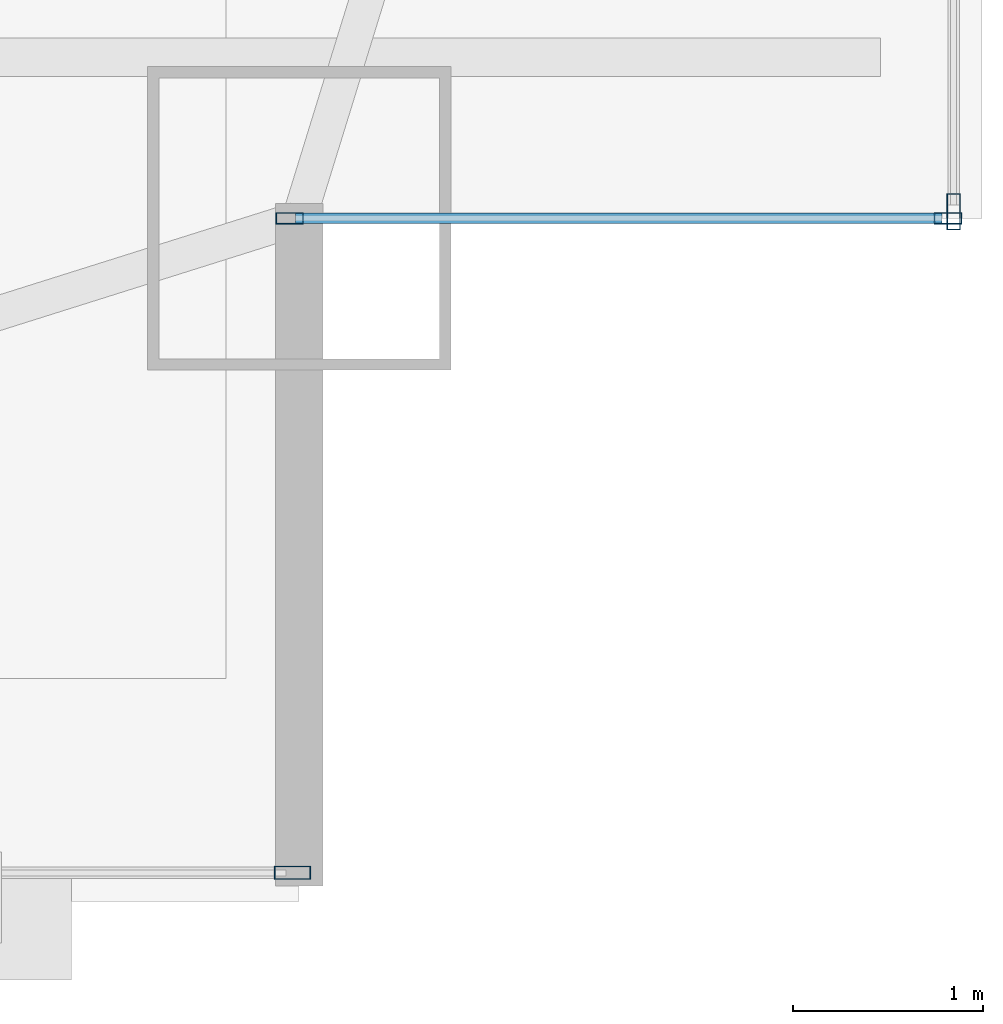
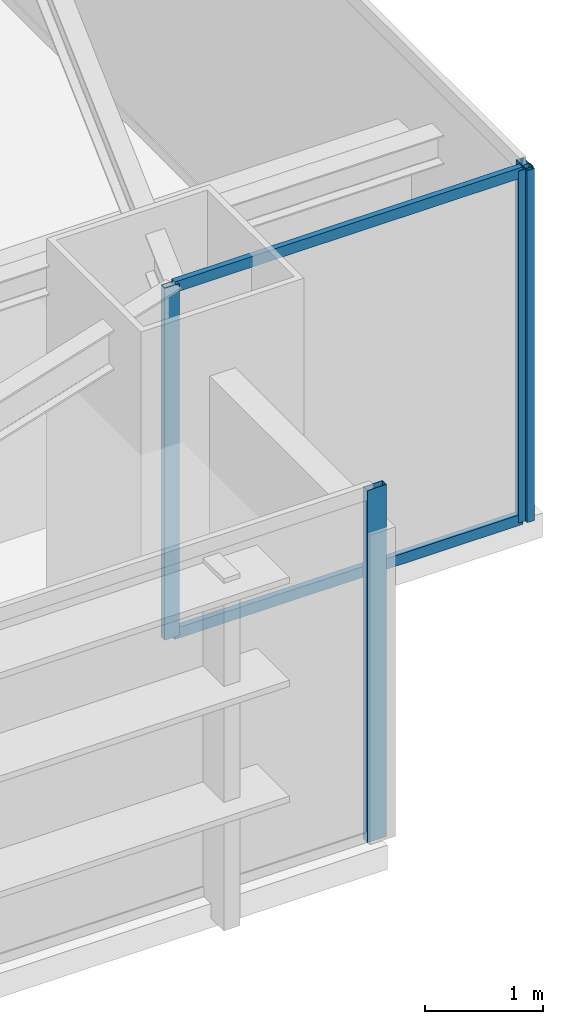
# One storey, part 16 of 35: 6 members, 3 elements without a shape of their own.
"""IFC4 building model written with IfcOpenShell, lengths in metres."""

from ifc_helpers import new_model, si_unit, direction, frame, origin, origin_2d, place, context, subcontext, project, spatial, hollow_rectangle, extrude, source, transform, mapped, material, layer, layer_set, material_profile, profile_set, type_object, type_shapes, element, aggregate, save


model = new_model("IFC4")

# Units and contexts
model_context = context("Model", 3, precision=1e-05, world=origin(), true_north=direction((0.0, 1.0)))
body_context = subcontext(model_context, "Body", "Model", "MODEL_VIEW")
ifc_project = project(units=[si_unit("LENGTHUNIT", "METRE"), si_unit("AREAUNIT", "SQUARE_METRE"), si_unit("VOLUMEUNIT", "CUBIC_METRE"), si_unit("PLANEANGLEUNIT", "RADIAN"), si_unit("MASSUNIT", "GRAM", prefix="KILO")], contexts=[model_context])

# Site, building, storey
site_placement = place(None, origin())
site = spatial("IfcSite", under=ifc_project, at=site_placement, CompositionType="ELEMENT")
building_placement = place(site_placement, origin())
building = spatial("IfcBuilding", under=site, at=building_placement, Name="Varnel Quay Broadcast Tower", CompositionType="ELEMENT")
storey_placement = place(building_placement, frame((0.0, 0.0, 31.5)))
storey = spatial("IfcBuildingStorey", under=building, at=storey_placement, Name="L06", CompositionType="ELEMENT", Elevation=31.5)

# Curtain wall, member
ifc_material = material(Name="Anodised Bronze Aluminium 6063-T6", Category="aluminium")
ifc_layer_1 = layer(ifc_material, 0.18994140625, Name="Anodised Bronze Aluminium 6063-T6")
ifc_layer_set_1 = layer_set([ifc_layer_1], Name="Anodised Bronze Aluminium 6063-T6")
curtain_wall_type_1 = type_object("IfcCurtainWallType", Name="CW_LowerTower", PredefinedType="NOTDEFINED", material=ifc_layer_set_1)
curtain_wall_1_placement = place(storey_placement, origin())
curtain_wall_1 = element("IfcCurtainWall", 1, at=curtain_wall_1_placement, inside=storey, type_object=curtain_wall_type_1, Name="L06 South Unitised Curtain Wall 1", PredefinedType="NOTDEFINED")
ifc_material_profile_1 = material_profile(ifc_material, hollow_rectangle(XDim=0.070068359375, YDim=0.18994140625, WallThickness=0.00390625, at=origin_2d()), Name="ALU70X190X4")
ifc_profile_set_1 = profile_set([ifc_material_profile_1], Name="Anodised Bronze Aluminium 6063-T6")
member_type_1 = type_object("IfcMemberType", Name="Mull_CWS-02", PredefinedType="MULLION", material=ifc_profile_set_1)
shared_shape_1 = source(origin(), body_context, "Body", "SweptSolid", [
    extrude(hollow_rectangle(XDim=0.070068359375, YDim=0.18994140625, WallThickness=0.00390625, at=origin_2d()), origin(), (0.0, 0.0, 1.0), 3.64990234375),
])
type_shapes(member_type_1, [shared_shape_1])
member_1_placement = place(storey_placement, frame((62.364990234375, 1.35009765625, 0.0), z_axis=(0.0, 0.0, 1.0), x_axis=(0.0, 1.0, 0.0)))
member_1 = element("IfcMember", 2, at=member_1_placement, type_object=member_type_1, Name="CWS-02 mullion 6", PredefinedType="MULLION", context=body_context, shape_type="MappedRepresentation", body=[
    mapped(shared_shape_1, transform((0.0, 0.0, 0.0), x_axis=(1.0, 0.0, 0.0), y_axis=(0.0, 1.0, 0.0), z_axis=(0.0, 0.0, 1.0), scale=1.0)),
])
aggregate(curtain_wall_1, [member_1])

curtain_wall_2_placement = place(storey_placement, origin())
curtain_wall_2 = element("IfcCurtainWall", 3, at=curtain_wall_2_placement, inside=storey, type_object=curtain_wall_type_1, Name="L06 East Unitised Curtain Wall", PredefinedType="NOTDEFINED")
member_2_placement = place(storey_placement, frame((65.85009765625, 4.8349609375, 0.0), z_axis=(0.0, 0.0, 1.0), x_axis=(-1.0, 0.0, 0.0)))
member_2 = element("IfcMember", 4, at=member_2_placement, type_object=member_type_1, Name="CWS-02 mullion 1", PredefinedType="MULLION", context=body_context, shape_type="MappedRepresentation", body=[
    mapped(shared_shape_1, transform((0.0, 0.0, 0.0), x_axis=(1.0, 0.0, 0.0), y_axis=(0.0, 1.0, 0.0), z_axis=(0.0, 0.0, 1.0), scale=1.0)),
])
aggregate(curtain_wall_2, [member_2])

# Curtain wall, members
ifc_layer_2 = layer(ifc_material, 0.18994140625, Name="Anodised Bronze Aluminium 6063-T6")
ifc_layer_set_2 = layer_set([ifc_layer_2], Name="Anodised Bronze Aluminium 6063-T6")
curtain_wall_type_2 = type_object("IfcCurtainWallType", Name="CW_NotchCorner", PredefinedType="NOTDEFINED", material=ifc_layer_set_2)
curtain_wall_3_placement = place(storey_placement, origin())
curtain_wall_3 = element("IfcCurtainWall", 5, at=curtain_wall_3_placement, inside=storey, type_object=curtain_wall_type_2, Name="L06 SE Notch Curtain Wall", PredefinedType="NOTDEFINED")
ifc_material_profile_2 = material_profile(ifc_material, hollow_rectangle(XDim=0.06005859375, YDim=0.14501953125, WallThickness=0.00341796875, at=origin_2d()), Name="ALU60X145X3.5")
ifc_profile_set_2 = profile_set([ifc_material_profile_2], Name="Anodised Bronze Aluminium 6063-T6")
member_type_2 = type_object("IfcMemberType", Name="Mull_CWS-04", PredefinedType="MULLION", material=ifc_profile_set_2)
shared_shape_2 = source(origin(), body_context, "Body", "SweptSolid", [
    extrude(hollow_rectangle(XDim=0.06005859375, YDim=0.14501953125, WallThickness=0.00341796875, at=origin_2d()), origin(), (0.0, 0.0, 1.0), 3.64990234375),
])
type_shapes(member_type_2, [shared_shape_2])
member_3_placement = place(storey_placement, frame((62.35009765625, 4.800048828125, 0.0), z_axis=(0.0, 0.0, 1.0), x_axis=(0.0, 1.0, 0.0)))
member_3 = element("IfcMember", 6, at=member_3_placement, type_object=member_type_2, Name="CWS-04 mullion 1", PredefinedType="MULLION", context=body_context, shape_type="MappedRepresentation", body=[
    mapped(shared_shape_2, transform((0.0, 0.0, 0.0), x_axis=(1.0, 0.0, 0.0), y_axis=(0.0, 1.0, 0.0), z_axis=(0.0, 0.0, 1.0), scale=1.0)),
])
member_4_placement = place(storey_placement, frame((65.820068359375, 4.800048828125, 0.0), z_axis=(0.0, 0.0, 1.0), x_axis=(0.0, 1.0, 0.0)))
member_4 = element("IfcMember", 7, at=member_4_placement, type_object=member_type_2, Name="CWS-04 mullion 2", PredefinedType="MULLION", context=body_context, shape_type="MappedRepresentation", body=[
    mapped(shared_shape_2, transform((0.0, 0.0, 0.0), x_axis=(1.0, 0.0, 0.0), y_axis=(0.0, 1.0, 0.0), z_axis=(0.0, 0.0, 1.0), scale=1.0)),
])
ifc_material_profile_3 = material_profile(ifc_material, hollow_rectangle(XDim=0.054931640625, YDim=0.110107421875, WallThickness=0.0029296875, at=origin_2d()), Name="ALU55X110X3")
ifc_profile_set_3 = profile_set([ifc_material_profile_3], Name="Anodised Bronze Aluminium 6063-T6")
member_type_3 = type_object("IfcMemberType", Name="Tran_CWS-04", PredefinedType="USERDEFINED", material=ifc_profile_set_3)
shared_shape_3 = source(origin(), body_context, "Body", "SweptSolid", [
    extrude(hollow_rectangle(XDim=0.054931640625, YDim=0.110107421875, WallThickness=0.0029296875, at=origin_2d()), origin(), (0.0, 0.0, 1.0), 3.41015625),
])
type_shapes(member_type_3, [shared_shape_3])
member_5_placement = place(storey_placement, frame((62.3798828125, 4.800048828125, 0.027587890625), z_axis=(1.0, 0.0, 0.0), x_axis=(0.0, 1.0, 0.0)))
member_5 = element("IfcMember", 8, at=member_5_placement, type_object=member_type_3, Name="CWS-04 transom 1.1", ObjectType="TRANSOM", PredefinedType="USERDEFINED", context=body_context, shape_type="MappedRepresentation", body=[
    mapped(shared_shape_3, transform((0.0, 0.0, 0.0), x_axis=(1.0, 0.0, 0.0), y_axis=(0.0, 1.0, 0.0), z_axis=(0.0, 0.0, 1.0), scale=1.0)),
])
member_6_placement = place(storey_placement, frame((62.3798828125, 4.800048828125, 3.62255859375), z_axis=(1.0, 0.0, 0.0), x_axis=(0.0, 1.0, 0.0)))
member_6 = element("IfcMember", 9, at=member_6_placement, type_object=member_type_3, Name="CWS-04 transom 1.2", ObjectType="TRANSOM", PredefinedType="USERDEFINED", context=body_context, shape_type="MappedRepresentation", body=[
    mapped(shared_shape_3, transform((0.0, 0.0, 0.0), x_axis=(1.0, 0.0, 0.0), y_axis=(0.0, 1.0, 0.0), z_axis=(0.0, 0.0, 1.0), scale=1.0)),
])
aggregate(curtain_wall_3, [member_3, member_4, member_5, member_6])

save(model, "model.ifc")
